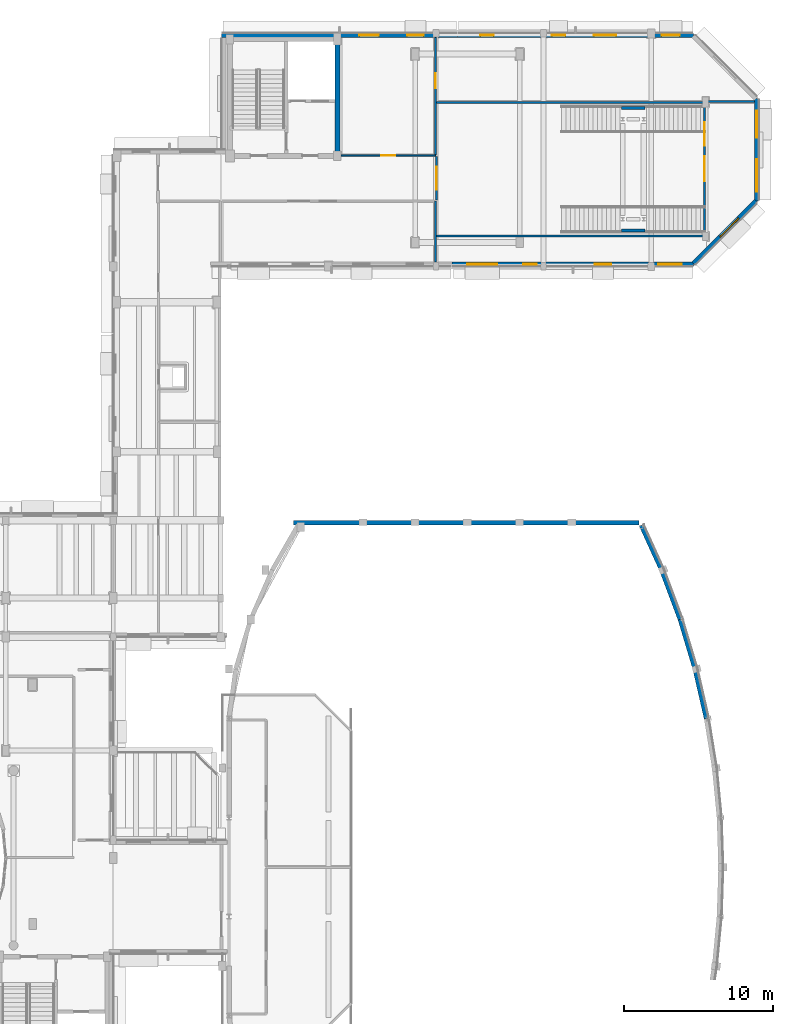
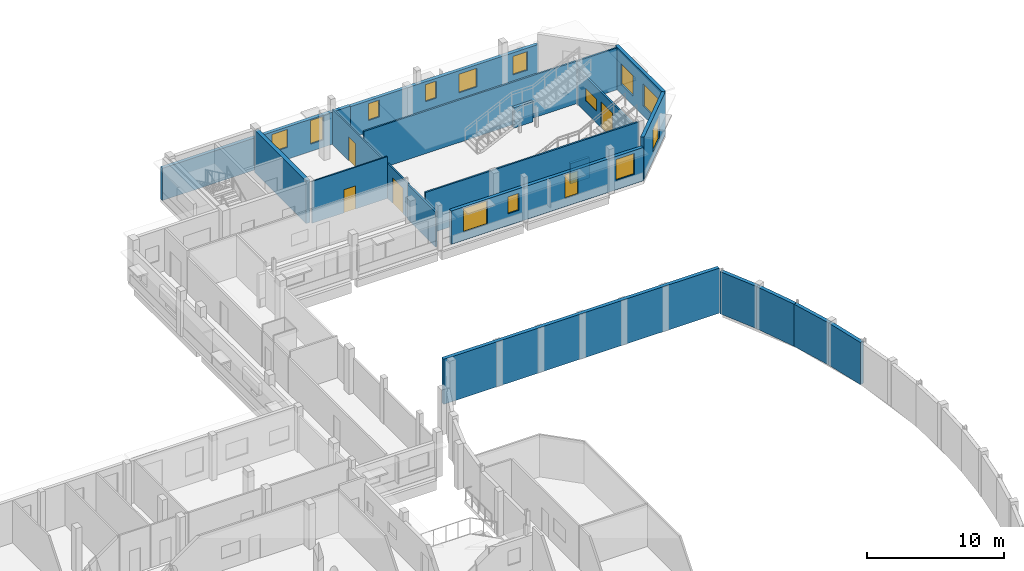
# One storey, part 75 of 92: 21 walls, 14 windows, 4 doors, 18 openings.
"""IFC4 building model written with IfcOpenShell, lengths in metres."""

from ifc_helpers import new_model, si_unit, direction, frame, frame_2d, origin, place, context, subcontext, project, spatial, rectangle, extrude, material, layer, layer_set, type_object, element, fill, save


model = new_model("IFC4")

# Units and contexts
model_context = context("Model", 3, precision=1e-05, world=origin(), true_north=direction((0.0, 1.0)))
body_context = subcontext(model_context, "Body", "Model", "MODEL_VIEW")
ifc_project = project(units=[si_unit("LENGTHUNIT", "METRE"), si_unit("AREAUNIT", "SQUARE_METRE"), si_unit("VOLUMEUNIT", "CUBIC_METRE"), si_unit("PLANEANGLEUNIT", "RADIAN"), si_unit("MASSUNIT", "GRAM", prefix="KILO")], contexts=[model_context])

# Site, building, storey
site_placement = place(None, origin())
site = spatial("IfcSite", under=ifc_project, at=site_placement, CompositionType="ELEMENT")
building_placement = place(site_placement, origin())
building = spatial("IfcBuilding", under=site, at=building_placement, Name="Kelanivale Promenade Academy", CompositionType="ELEMENT")
storey_placement = place(building_placement, frame((0.0, 0.0, 8.199951171875)))
storey = spatial("IfcBuildingStorey", under=building, at=storey_placement, Name="L02", CompositionType="ELEMENT", Elevation=8.199951171875)

# Walls
ifc_material_1 = material(Name="Concrete C40/50", Category="concrete")
ifc_layer_1 = layer(ifc_material_1, 0.330078125)
ifc_layer_set_1 = layer_set([ifc_layer_1], Name="Concrete C40/50")
wall_type_1 = type_object("IfcWallType", Name="CW-S1 Wall 330mm", PredefinedType="SHEAR", material=ifc_layer_set_1)
wall_1_placement = place(storey_placement, frame((130.60009765625, 103.965087890625, 0.0), z_axis=(0.0, 0.0, 1.0), x_axis=(0.0, 1.0, 0.0)))
element("IfcWall", 1, at=wall_1_placement, inside=storey, type_object=wall_type_1, Name="CORE-5 RC shear wall E L02", PredefinedType="SHEAR", context=body_context, shape_type="SweptSolid", body=[
    extrude(rectangle(XDim=7.469970703125, YDim=0.330078125, at=frame_2d((3.73486328125, 0.0))), origin(), (0.0, 0.0, 1.0), 3.780029296875),
])
ifc_layer_2 = layer(ifc_material_1, 0.22509765625)
ifc_layer_set_2 = layer_set([ifc_layer_2], Name="Concrete C40/50")
wall_type_2 = type_object("IfcWallType", Name="CW-S2 Wall 225mm", PredefinedType="SHEAR", material=ifc_layer_set_2)
for number, where, z_axis, x_axis, name in (
    (2, (149.60009765625, 98.800048828125, 0.0), (0.0, 0.0, 1.0), (1.0, 0.0, 0.0), "Library stair ST-07 structural support wall L02"),
    (3, (149.60009765625, 107.0, 0.0), (0.0, 0.0, 1.0), (1.0, 0.0, 0.0), "Library stair ST-08 structural support wall L02"),
):
    element("IfcWall", number, at=place(storey_placement, frame(where, z_axis=z_axis, x_axis=x_axis)), inside=storey, type_object=wall_type_2, Name=name, PredefinedType="SHEAR", context=body_context, shape_type="SweptSolid", body=[
        extrude(rectangle(XDim=1.599853515625, YDim=0.22509765625, at=frame_2d((0.7998046875, 0.0))), origin(), (0.0, 0.0, 1.0), 1.81005859375),
    ])
ifc_material_2 = material(Name="Insulated terracotta-clad masonry wall 300 mm", Category="masonry")
ifc_layer_3 = layer(ifc_material_2, 0.300048828125)
ifc_layer_set_3 = layer_set([ifc_layer_3], Name="Insulated terracotta-clad masonry wall 300 mm")
wall_type_3 = type_object("IfcWallType", Name="EW-01 Wall 300mm", PredefinedType="SOLIDWALL", material=ifc_layer_set_3)
wall_2_placement = place(storey_placement, frame((155.291015625, 66.14306640625, 0.0), z_axis=(0.0, 0.0, 1.0), x_axis=(-0.223259599234, 0.974759022195, 0.0)))
element("IfcWall", 4, at=wall_2_placement, inside=storey, type_object=wall_type_3, Name="Assembly Hall Arc Pavilion curved terracotta wall L02", PredefinedType="SOLIDWALL", context=body_context, shape_type="SweptSolid", body=[
    extrude(rectangle(XDim=3.399658203125, YDim=0.300048828125, at=frame_2d((1.69970703125, 0.0))), origin(), (0.0, 0.0, 1.0), 3.7451171875),
])
wall_3_placement = place(storey_placement, frame((154.531982421875, 69.45703125, 0.0), z_axis=(0.0, 0.0, 1.0), x_axis=(-0.287011200065, 0.957927226379, 0.0)))
element("IfcWall", 5, at=wall_3_placement, inside=storey, type_object=wall_type_3, Name="Assembly Hall Arc Pavilion curved terracotta wall L02", PredefinedType="SOLIDWALL", context=body_context, shape_type="SweptSolid", body=[
    extrude(rectangle(XDim=3.45947265625, YDim=0.300048828125, at=frame_2d((1.729736328125, 0.0))), origin(), (0.0, 0.0, 1.0), 3.7451171875),
])
wall_4_placement = place(storey_placement, frame((153.5390625, 72.77099609375, 0.0), z_axis=(0.0, 0.0, 1.0), x_axis=(-0.350836219137, 0.936436835746, 0.0)))
element("IfcWall", 6, at=wall_4_placement, inside=storey, type_object=wall_type_3, Name="Assembly Hall Arc Pavilion curved terracotta wall L02", PredefinedType="SOLIDWALL", context=body_context, shape_type="SweptSolid", body=[
    extrude(rectangle(XDim=3.5400390625, YDim=0.300048828125, at=frame_2d((1.77001953125, 0.0))), origin(), (0.0, 0.0, 1.0), 3.7451171875),
])
wall_5_placement = place(storey_placement, frame((152.297119140625, 76.0859375, 0.0), z_axis=(0.0, 0.0, 1.0), x_axis=(-0.414354372568, 0.910115626684, 0.0)))
element("IfcWall", 7, at=wall_5_placement, inside=storey, type_object=wall_type_3, Name="Assembly Hall Arc Pavilion curved terracotta wall L02", PredefinedType="SOLIDWALL", context=body_context, shape_type="SweptSolid", body=[
    extrude(rectangle(XDim=3.302001953125, YDim=0.300048828125, at=frame_2d((1.65087890625, 0.0))), origin(), (0.0, 0.0, 1.0), 3.7451171875),
])
wall_6_placement = place(storey_placement, frame((150.7880859375, 79.25, 0.0), z_axis=(0.0, 0.0, 1.0), x_axis=(-1.0, 0.0, 0.0)))
element("IfcWall", 8, at=wall_6_placement, inside=storey, type_object=wall_type_3, Name="Assembly Hall Arc Pavilion gable wall L02", PredefinedType="SOLIDWALL", context=body_context, shape_type="SweptSolid", body=[
    extrude(rectangle(XDim=23.13818359375, YDim=0.300048828125, at=frame_2d((11.569091796875, 0.0))), origin(), (0.0, 0.0, 1.0), 4.0),
])

# Wall, openings, windows
ifc_material_3 = material(Name="Insulated ivory stucco masonry wall 280 mm", Category="masonry")
ifc_layer_4 = layer(ifc_material_3, 0.280029296875)
ifc_layer_set_4 = layer_set([ifc_layer_4], Name="Insulated ivory stucco masonry wall 280 mm")
wall_type_4 = type_object("IfcWallType", Name="EW-02 Wall 280mm", PredefinedType="SOLIDWALL", material=ifc_layer_set_4)
wall_7_placement = place(storey_placement, frame((138.27587890625, 96.5400390625, 0.0), z_axis=(0.0, 0.0, 1.0), x_axis=(1.0, 0.0, 0.0)))
wall_7 = element("IfcWall", 9, at=wall_7_placement, inside=storey, type_object=wall_type_4, Name="L02 exterior facade wall EW-L02-ORT-0423", PredefinedType="SOLIDWALL", context=body_context, shape_type="SweptSolid", body=[
    extrude(rectangle(XDim=16.155029296875, YDim=0.280029296875, at=frame_2d((8.07763671875, 0.0))), origin(), (0.0, 0.0, 1.0), 2.965087890625),
])
opening_1_placement = place(wall_7_placement, frame((1.01904296875, 0.0, 0.72509765625)))
opening_1 = element("IfcOpeningElement", 10, at=opening_1_placement, cuts=wall_7, Name="Opening WT-14", PredefinedType="OPENING", context=body_context, shape_type="SweptSolid", body=[
    extrude(rectangle(XDim=2.0, YDim=2.10009765625, at=frame_2d((1.0, 1.050048828125))), frame((0.0, 0.14990234375, 0.0), z_axis=(0.0, -1.0, 0.0), x_axis=(1.0, 0.0, 0.0)), (0.0, 0.0, 1.0), 0.300048828125),
])
opening_2_placement = place(wall_7_placement, frame((4.758056640625, 0.0, 1.050048828125)))
opening_2 = element("IfcOpeningElement", 11, at=opening_2_placement, cuts=wall_7, Name="Opening WT-06", PredefinedType="OPENING", context=body_context, shape_type="SweptSolid", body=[
    extrude(rectangle(XDim=0.89990234375, YDim=1.5, at=frame_2d((0.449951171875, 0.75))), frame((0.0, 0.14990234375, 0.0), z_axis=(0.0, -1.0, 0.0), x_axis=(1.0, 0.0, 0.0)), (0.0, 0.0, 1.0), 0.300048828125),
])
opening_3_placement = place(wall_7_placement, frame((9.547119140625, 0.0, 0.72509765625)))
opening_3 = element("IfcOpeningElement", 12, at=opening_3_placement, cuts=wall_7, Name="Opening WT-17", PredefinedType="OPENING", context=body_context, shape_type="SweptSolid", body=[
    extrude(rectangle(XDim=1.10009765625, YDim=2.10009765625, at=frame_2d((0.550048828125, 1.050048828125))), frame((0.0, 0.14990234375, 0.0), z_axis=(0.0, -1.0, 0.0), x_axis=(1.0, 0.0, 0.0)), (0.0, 0.0, 1.0), 0.300048828125),
])
opening_4_placement = place(wall_7_placement, frame((13.81103515625, 0.0, 0.85009765625)))
opening_4 = element("IfcOpeningElement", 13, at=opening_4_placement, cuts=wall_7, Name="Opening WT-31", PredefinedType="OPENING", context=body_context, shape_type="SweptSolid", body=[
    extrude(rectangle(XDim=1.550048828125, YDim=1.85009765625, at=frame_2d((0.77490234375, 0.925048828125))), frame((0.0, 0.14990234375, 0.0), z_axis=(0.0, -1.0, 0.0), x_axis=(1.0, 0.0, 0.0)), (0.0, 0.0, 1.0), 0.300048828125),
])
ifc_material_4 = material(Name="Bronze anodised aluminium frame with low-E laminated glass", Category="aluminium")
window_type_1 = type_object("IfcWindowType", Name="WT-06 Window 900x1500", PartitioningType="SINGLE_PANEL", PredefinedType="WINDOW", material=ifc_material_4)
window_1_placement = place(opening_2_placement, origin())
window_1 = element("IfcWindow", 14, at=window_1_placement, inside=storey, type_object=window_type_1, Name="Window WT-06", OverallHeight=1.5, OverallWidth=0.89990234375, PartitioningType="SINGLE_PANEL", PredefinedType="WINDOW", context=body_context, shape_type="SweptSolid", body=[
    extrude(rectangle(XDim=0.89990234375, YDim=1.5, at=frame_2d((0.449951171875, 0.75))), frame((0.0, 0.030029296875, 0.0), z_axis=(0.0, -1.0, 0.0), x_axis=(1.0, 0.0, 0.0)), (0.0, 0.0, 1.0), 0.06005859375),
])
fill(opening_2, window_1)
window_type_2 = type_object("IfcWindowType", Name="WT-14 Window 2000x2100", PartitioningType="SINGLE_PANEL", PredefinedType="WINDOW", material=ifc_material_4)
window_2_placement = place(opening_1_placement, origin())
window_2 = element("IfcWindow", 15, at=window_2_placement, inside=storey, type_object=window_type_2, Name="Window WT-14", OverallHeight=2.10009765625, OverallWidth=2.0, PartitioningType="SINGLE_PANEL", PredefinedType="WINDOW", context=body_context, shape_type="SweptSolid", body=[
    extrude(rectangle(XDim=2.0, YDim=2.10009765625, at=frame_2d((1.0, 1.050048828125))), frame((0.0, 0.030029296875, 0.0), z_axis=(0.0, -1.0, 0.0), x_axis=(1.0, 0.0, 0.0)), (0.0, 0.0, 1.0), 0.06005859375),
])
fill(opening_1, window_2)
window_type_3 = type_object("IfcWindowType", Name="WT-17 Window 1100x2100", PartitioningType="SINGLE_PANEL", PredefinedType="WINDOW", material=ifc_material_4)
window_3_placement = place(opening_3_placement, origin())
window_3 = element("IfcWindow", 16, at=window_3_placement, inside=storey, type_object=window_type_3, Name="Window WT-17", OverallHeight=2.10009765625, OverallWidth=1.10009765625, PartitioningType="SINGLE_PANEL", PredefinedType="WINDOW", context=body_context, shape_type="SweptSolid", body=[
    extrude(rectangle(XDim=1.10009765625, YDim=2.10009765625, at=frame_2d((0.550048828125, 1.050048828125))), frame((0.0, 0.030029296875, 0.0), z_axis=(0.0, -1.0, 0.0), x_axis=(1.0, 0.0, 0.0)), (0.0, 0.0, 1.0), 0.06005859375),
])
fill(opening_3, window_3)
window_type_4 = type_object("IfcWindowType", Name="WT-31 Window 1550x1850", PartitioningType="SINGLE_PANEL", PredefinedType="WINDOW", material=ifc_material_4)
window_4_placement = place(opening_4_placement, origin())
window_4 = element("IfcWindow", 17, at=window_4_placement, inside=storey, type_object=window_type_4, Name="Window WT-31", OverallHeight=1.85009765625, OverallWidth=1.550048828125, PartitioningType="SINGLE_PANEL", PredefinedType="WINDOW", context=body_context, shape_type="SweptSolid", body=[
    extrude(rectangle(XDim=1.550048828125, YDim=1.85009765625, at=frame_2d((0.77490234375, 0.925048828125))), frame((0.0, 0.030029296875, 0.0), z_axis=(0.0, -1.0, 0.0), x_axis=(1.0, 0.0, 0.0)), (0.0, 0.0, 1.0), 0.06005859375),
])
fill(opening_4, window_4)

# Wall, opening, window
wall_8_placement = place(storey_placement, frame((154.4189453125, 96.583984375, 0.0), z_axis=(0.0, 0.0, 1.0), x_axis=(0.707106781187, 0.707106781187, 0.0)))
wall_8 = element("IfcWall", 18, at=wall_8_placement, inside=storey, type_object=wall_type_4, Name="L02 exterior facade wall EW-L02-ORT-0424", PredefinedType="SOLIDWALL", context=body_context, shape_type="SweptSolid", body=[
    extrude(rectangle(XDim=5.935546875, YDim=0.280029296875, at=frame_2d((2.9677734375, 0.0))), origin(), (0.0, 0.0, 1.0), 3.780029296875),
])
opening_5_placement = place(wall_8_placement, frame((2.54296875, 0.0, 0.75)))
opening_5 = element("IfcOpeningElement", 19, at=opening_5_placement, cuts=wall_8, Name="Opening WT-32", PredefinedType="OPENING", context=body_context, shape_type="SweptSolid", body=[
    extrude(rectangle(XDim=1.75, YDim=2.050048828125, at=frame_2d((0.875, 1.02490234375))), frame((0.0, 0.14990234375, 0.0), z_axis=(0.0, -1.0, 0.0), x_axis=(1.0, 0.0, 0.0)), (0.0, 0.0, 1.0), 0.300048828125),
])
window_type_5 = type_object("IfcWindowType", Name="WT-32 Window 1750x2050", PartitioningType="SINGLE_PANEL", PredefinedType="WINDOW", material=ifc_material_4)
window_5_placement = place(opening_5_placement, origin())
window_5 = element("IfcWindow", 20, at=window_5_placement, inside=storey, type_object=window_type_5, Name="Window WT-32", OverallHeight=2.050048828125, OverallWidth=1.75, PartitioningType="SINGLE_PANEL", PredefinedType="WINDOW", context=body_context, shape_type="SweptSolid", body=[
    extrude(rectangle(XDim=1.75, YDim=2.050048828125, at=frame_2d((0.875, 1.02490234375))), frame((0.0, 0.030029296875, 0.0), z_axis=(0.0, -1.0, 0.0), x_axis=(1.0, 0.0, 0.0)), (0.0, 0.0, 1.0), 0.06005859375),
])
fill(opening_5, window_5)

# Wall, openings, windows
wall_9_placement = place(storey_placement, frame((158.659912109375, 100.76904296875, 0.0), z_axis=(0.0, 0.0, 1.0), x_axis=(0.0, 1.0, 0.0)))
wall_9 = element("IfcWall", 21, at=wall_9_placement, inside=storey, type_object=wall_type_4, Name="L02 exterior facade wall EW-L02-ORT-0425", PredefinedType="SOLIDWALL", context=body_context, shape_type="SweptSolid", body=[
    extrude(rectangle(XDim=6.862060546875, YDim=0.280029296875, at=frame_2d((3.43115234375, 0.0))), origin(), (0.0, 0.0, 1.0), 3.780029296875),
])
opening_6_placement = place(wall_9_placement, frame((0.639892578125, 0.0, 0.85009765625)))
opening_6 = element("IfcOpeningElement", 22, at=opening_6_placement, cuts=wall_9, Name="Opening WT-33", PredefinedType="OPENING", context=body_context, shape_type="SweptSolid", body=[
    extrude(rectangle(XDim=2.14990234375, YDim=1.949951171875, at=frame_2d((1.074951171875, 0.97509765625))), frame((0.0, 0.14990234375, 0.0), z_axis=(0.0, -1.0, 0.0), x_axis=(1.0, 0.0, 0.0)), (0.0, 0.0, 1.0), 0.300048828125),
])
opening_7_placement = place(wall_9_placement, frame((4.24609375, 0.0, 0.85009765625)))
opening_7 = element("IfcOpeningElement", 23, at=opening_7_placement, cuts=wall_9, Name="Opening WT-01", PredefinedType="OPENING", context=body_context, shape_type="SweptSolid", body=[
    extrude(rectangle(XDim=1.800048828125, YDim=1.800048828125, at=frame_2d((0.89990234375, 0.89990234375))), frame((0.0, 0.14990234375, 0.0), z_axis=(0.0, -1.0, 0.0), x_axis=(1.0, 0.0, 0.0)), (0.0, 0.0, 1.0), 0.300048828125),
])
window_type_6 = type_object("IfcWindowType", Name="WT-01 Window 1800x1800", PartitioningType="SINGLE_PANEL", PredefinedType="WINDOW", material=ifc_material_4)
window_6_placement = place(opening_7_placement, origin())
window_6 = element("IfcWindow", 24, at=window_6_placement, inside=storey, type_object=window_type_6, Name="Window WT-01", OverallHeight=1.800048828125, OverallWidth=1.800048828125, PartitioningType="SINGLE_PANEL", PredefinedType="WINDOW", context=body_context, shape_type="SweptSolid", body=[
    extrude(rectangle(XDim=1.800048828125, YDim=1.800048828125, at=frame_2d((0.89990234375, 0.89990234375))), frame((0.0, 0.030029296875, 0.0), z_axis=(0.0, -1.0, 0.0), x_axis=(1.0, 0.0, 0.0)), (0.0, 0.0, 1.0), 0.06005859375),
])
fill(opening_7, window_6)
window_type_7 = type_object("IfcWindowType", Name="WT-33 Window 2150x1950", PartitioningType="SINGLE_PANEL", PredefinedType="WINDOW", material=ifc_material_4)
window_7_placement = place(opening_6_placement, origin())
window_7 = element("IfcWindow", 25, at=window_7_placement, inside=storey, type_object=window_type_7, Name="Window WT-33", OverallHeight=1.949951171875, OverallWidth=2.14990234375, PartitioningType="SINGLE_PANEL", PredefinedType="WINDOW", context=body_context, shape_type="SweptSolid", body=[
    extrude(rectangle(XDim=2.14990234375, YDim=1.949951171875, at=frame_2d((1.074951171875, 0.97509765625))), frame((0.0, 0.030029296875, 0.0), z_axis=(0.0, -1.0, 0.0), x_axis=(1.0, 0.0, 0.0)), (0.0, 0.0, 1.0), 0.06005859375),
])
fill(opening_6, window_7)

wall_10_placement = place(storey_placement, frame((154.430908203125, 111.860107421875, 0.0), z_axis=(0.0, 0.0, 1.0), x_axis=(-1.0, 0.0, 0.0)))
wall_10 = element("IfcWall", 26, at=wall_10_placement, inside=storey, type_object=wall_type_4, Name="L02 exterior facade wall EW-L02-ORT-0427", PredefinedType="SOLIDWALL", context=body_context, shape_type="SweptSolid", body=[
    extrude(rectangle(XDim=15.789794921875, YDim=0.280029296875, at=frame_2d((7.89501953125, 0.0))), origin(), (0.0, 0.0, 1.0), 2.81494140625),
])
opening_8_placement = place(wall_10_placement, frame((0.924072265625, 0.0, 0.85009765625)))
opening_8 = element("IfcOpeningElement", 27, at=opening_8_placement, cuts=wall_10, Name="Opening WT-05", PredefinedType="OPENING", context=body_context, shape_type="SweptSolid", body=[
    extrude(rectangle(XDim=1.199951171875, YDim=1.64990234375, at=frame_2d((0.60009765625, 0.824951171875))), frame((0.0, 0.14990234375, 0.0), z_axis=(0.0, -1.0, 0.0), x_axis=(1.0, 0.0, 0.0)), (0.0, 0.0, 1.0), 0.300048828125),
])
opening_9_placement = place(wall_10_placement, frame((5.1708984375, 0.0, 0.85009765625)))
opening_9 = element("IfcOpeningElement", 28, at=opening_9_placement, cuts=wall_10, Name="Opening WT-04", PredefinedType="OPENING", context=body_context, shape_type="SweptSolid", body=[
    extrude(rectangle(XDim=1.5, YDim=1.64990234375, at=frame_2d((0.75, 0.824951171875))), frame((0.0, 0.14990234375, 0.0), z_axis=(0.0, -1.0, 0.0), x_axis=(1.0, 0.0, 0.0)), (0.0, 0.0, 1.0), 0.300048828125),
])
opening_10_placement = place(wall_10_placement, frame((8.569091796875, 0.0, 1.050048828125)))
opening_10 = element("IfcOpeningElement", 29, at=opening_10_placement, cuts=wall_10, Name="Opening WT-06", PredefinedType="OPENING", context=body_context, shape_type="SweptSolid", body=[
    extrude(rectangle(XDim=0.89990234375, YDim=1.5, at=frame_2d((0.449951171875, 0.75))), frame((0.0, 0.14990234375, 0.0), z_axis=(0.0, -1.0, 0.0), x_axis=(1.0, 0.0, 0.0)), (0.0, 0.0, 1.0), 0.300048828125),
])
opening_11_placement = place(wall_10_placement, frame((13.365966796875, 0.0, 1.050048828125)))
opening_11 = element("IfcOpeningElement", 30, at=opening_11_placement, cuts=wall_10, Name="Opening WT-06", PredefinedType="OPENING", context=body_context, shape_type="SweptSolid", body=[
    extrude(rectangle(XDim=0.89990234375, YDim=1.5, at=frame_2d((0.449951171875, 0.75))), frame((0.0, 0.14990234375, 0.0), z_axis=(0.0, -1.0, 0.0), x_axis=(1.0, 0.0, 0.0)), (0.0, 0.0, 1.0), 0.300048828125),
])
window_type_8 = type_object("IfcWindowType", Name="WT-04 Window 1500x1650", PartitioningType="SINGLE_PANEL", PredefinedType="WINDOW", material=ifc_material_4)
window_8_placement = place(opening_9_placement, origin())
window_8 = element("IfcWindow", 31, at=window_8_placement, inside=storey, type_object=window_type_8, Name="Window WT-04", OverallHeight=1.64990234375, OverallWidth=1.5, PartitioningType="SINGLE_PANEL", PredefinedType="WINDOW", context=body_context, shape_type="SweptSolid", body=[
    extrude(rectangle(XDim=1.5, YDim=1.64990234375, at=frame_2d((0.75, 0.824951171875))), frame((0.0, 0.030029296875, 0.0), z_axis=(0.0, -1.0, 0.0), x_axis=(1.0, 0.0, 0.0)), (0.0, 0.0, 1.0), 0.06005859375),
])
fill(opening_9, window_8)
window_type_9 = type_object("IfcWindowType", Name="WT-05 Window 1200x1650", PartitioningType="SINGLE_PANEL", PredefinedType="WINDOW", material=ifc_material_4)
window_9_placement = place(opening_8_placement, origin())
window_9 = element("IfcWindow", 32, at=window_9_placement, inside=storey, type_object=window_type_9, Name="Window WT-05", OverallHeight=1.64990234375, OverallWidth=1.199951171875, PartitioningType="SINGLE_PANEL", PredefinedType="WINDOW", context=body_context, shape_type="SweptSolid", body=[
    extrude(rectangle(XDim=1.199951171875, YDim=1.64990234375, at=frame_2d((0.60009765625, 0.824951171875))), frame((0.0, 0.030029296875, 0.0), z_axis=(0.0, -1.0, 0.0), x_axis=(1.0, 0.0, 0.0)), (0.0, 0.0, 1.0), 0.06005859375),
])
fill(opening_8, window_9)
window_10_placement = place(opening_10_placement, origin())
window_10 = element("IfcWindow", 33, at=window_10_placement, inside=storey, type_object=window_type_1, Name="Window WT-06", OverallHeight=1.5, OverallWidth=0.89990234375, PartitioningType="SINGLE_PANEL", PredefinedType="WINDOW", context=body_context, shape_type="SweptSolid", body=[
    extrude(rectangle(XDim=0.89990234375, YDim=1.5, at=frame_2d((0.449951171875, 0.75))), frame((0.0, 0.030029296875, 0.0), z_axis=(0.0, -1.0, 0.0), x_axis=(1.0, 0.0, 0.0)), (0.0, 0.0, 1.0), 0.06005859375),
])
fill(opening_10, window_10)
window_11_placement = place(opening_11_placement, origin())
window_11 = element("IfcWindow", 34, at=window_11_placement, inside=storey, type_object=window_type_1, Name="Window WT-06", OverallHeight=1.5, OverallWidth=0.89990234375, PartitioningType="SINGLE_PANEL", PredefinedType="WINDOW", context=body_context, shape_type="SweptSolid", body=[
    extrude(rectangle(XDim=0.89990234375, YDim=1.5, at=frame_2d((0.449951171875, 0.75))), frame((0.0, 0.030029296875, 0.0), z_axis=(0.0, -1.0, 0.0), x_axis=(1.0, 0.0, 0.0)), (0.0, 0.0, 1.0), 0.06005859375),
])
fill(opening_11, window_11)

wall_11_placement = place(storey_placement, frame((138.64111328125, 111.860107421875, 0.0), z_axis=(0.0, 0.0, 1.0), x_axis=(-1.0, 0.0, 0.0)))
wall_11 = element("IfcWall", 35, at=wall_11_placement, inside=storey, type_object=wall_type_4, Name="L02 exterior facade wall EW-L02-ORT-0428", PredefinedType="SOLIDWALL", context=body_context, shape_type="SweptSolid", body=[
    extrude(rectangle(XDim=15.791015625, YDim=0.280029296875, at=frame_2d((7.8955078125, 0.0))), origin(), (0.0, 0.0, 1.0), 2.864990234375),
])
opening_12_placement = place(wall_11_placement, frame((2.27392578125, 0.0, 0.64990234375)))
opening_12 = element("IfcOpeningElement", 36, at=opening_12_placement, cuts=wall_11, Name="Opening WT-17", PredefinedType="OPENING", context=body_context, shape_type="SweptSolid", body=[
    extrude(rectangle(XDim=1.10009765625, YDim=2.10009765625, at=frame_2d((0.550048828125, 1.050048828125))), frame((0.0, 0.14990234375, 0.0), z_axis=(0.0, -1.0, 0.0), x_axis=(1.0, 0.0, 0.0)), (0.0, 0.0, 1.0), 0.300048828125),
])
opening_13_placement = place(wall_11_placement, frame((5.27197265625, 0.0, 1.050048828125)))
opening_13 = element("IfcOpeningElement", 37, at=opening_13_placement, cuts=wall_11, Name="Opening WT-23", PredefinedType="OPENING", context=body_context, shape_type="SweptSolid", body=[
    extrude(rectangle(XDim=1.300048828125, YDim=1.60009765625, at=frame_2d((0.64990234375, 0.800048828125))), frame((0.0, 0.14990234375, 0.0), z_axis=(0.0, -1.0, 0.0), x_axis=(1.0, 0.0, 0.0)), (0.0, 0.0, 1.0), 0.300048828125),
])
window_12_placement = place(opening_12_placement, origin())
window_12 = element("IfcWindow", 38, at=window_12_placement, inside=storey, type_object=window_type_3, Name="Window WT-17", OverallHeight=2.10009765625, OverallWidth=1.10009765625, PartitioningType="SINGLE_PANEL", PredefinedType="WINDOW", context=body_context, shape_type="SweptSolid", body=[
    extrude(rectangle(XDim=1.10009765625, YDim=2.10009765625, at=frame_2d((0.550048828125, 1.050048828125))), frame((0.0, 0.030029296875, 0.0), z_axis=(0.0, -1.0, 0.0), x_axis=(1.0, 0.0, 0.0)), (0.0, 0.0, 1.0), 0.06005859375),
])
fill(opening_12, window_12)
window_type_10 = type_object("IfcWindowType", Name="WT-23 Window 1300x1600", PartitioningType="SINGLE_PANEL", PredefinedType="WINDOW", material=ifc_material_4)
window_13_placement = place(opening_13_placement, origin())
window_13 = element("IfcWindow", 39, at=window_13_placement, inside=storey, type_object=window_type_10, Name="Window WT-23", OverallHeight=1.60009765625, OverallWidth=1.300048828125, PartitioningType="SINGLE_PANEL", PredefinedType="WINDOW", context=body_context, shape_type="SweptSolid", body=[
    extrude(rectangle(XDim=1.300048828125, YDim=1.60009765625, at=frame_2d((0.64990234375, 0.800048828125))), frame((0.0, 0.030029296875, 0.0), z_axis=(0.0, -1.0, 0.0), x_axis=(1.0, 0.0, 0.0)), (0.0, 0.0, 1.0), 0.06005859375),
])
fill(opening_13, window_13)

# Walls
ifc_material_5 = material(Name="Acoustic double-stud gypsum board partition 140 mm", Category="masonry")
ifc_layer_5 = layer(ifc_material_5, 0.139892578125)
ifc_layer_set_5 = layer_set([ifc_layer_5], Name="Acoustic double-stud gypsum board partition 140 mm")
wall_type_5 = type_object("IfcWallType", Name="IW-04 Wall 140mm", PredefinedType="PARTITIONING", material=ifc_layer_set_5)
wall_12_placement = place(storey_placement, frame((137.169921875, 96.677978515625, 0.0), z_axis=(0.0, 0.0, 1.0), x_axis=(0.0, 1.0, 0.0)))
element("IfcWall", 40, at=wall_12_placement, inside=storey, type_object=wall_type_5, Name="L02 partition Library Book Stacks", PredefinedType="PARTITIONING", context=body_context, shape_type="SweptSolid", body=[
    extrude(rectangle(XDim=4.092041015625, YDim=0.139892578125, at=frame_2d((2.0458984375, 0.0))), origin(), (0.0, 0.0, 1.0), 3.114990234375),
])
wall_13_placement = place(storey_placement, frame((137.238037109375, 98.429931640625, 0.0), z_axis=(0.0, 0.0, 1.0), x_axis=(1.0, 0.0, 0.0)))
element("IfcWall", 41, at=wall_13_placement, inside=storey, type_object=wall_type_5, Name="L02 partition Library Reading Room", PredefinedType="PARTITIONING", context=body_context, shape_type="SweptSolid", body=[
    extrude(rectangle(XDim=17.931884765625, YDim=0.139892578125, at=frame_2d((8.9658203125, 0.0))), origin(), (0.0, 0.0, 1.0), 3.780029296875),
])

# Wall, openings, door, window
wall_14_placement = place(storey_placement, frame((155.169921875, 98.498046875, 0.0), z_axis=(0.0, 0.0, 1.0), x_axis=(0.0, 1.0, 0.0)))
wall_14 = element("IfcWall", 42, at=wall_14_placement, inside=storey, type_object=wall_type_5, Name="L02 partition Library Reading Room", PredefinedType="PARTITIONING", context=body_context, shape_type="SweptSolid", body=[
    extrude(rectangle(XDim=8.8720703125, YDim=0.139892578125, at=frame_2d((4.43603515625, 0.0))), origin(), (0.0, 0.0, 1.0), 3.1650390625),
])
opening_14_placement = place(wall_14_placement, frame((3.611083984375, 0.0, 0.0)))
opening_14 = element("IfcOpeningElement", 43, at=opening_14_placement, cuts=wall_14, Name="Opening ID-L02-143", PredefinedType="OPENING", context=body_context, shape_type="SweptSolid", body=[
    extrude(rectangle(XDim=1.64990234375, YDim=2.320068359375, at=frame_2d((0.824951171875, 1.16015625))), frame((0.0, 0.080078125, 0.0), z_axis=(0.0, -1.0, 0.0), x_axis=(1.0, 0.0, 0.0)), (0.0, 0.0, 1.0), 0.159912109375),
])
opening_15_placement = place(wall_14_placement, frame((5.9609375, 0.0, 1.050048828125)))
opening_15 = element("IfcOpeningElement", 44, at=opening_15_placement, cuts=wall_14, Name="Opening WT-I01", PredefinedType="OPENING", context=body_context, shape_type="SweptSolid", body=[
    extrude(rectangle(XDim=1.60009765625, YDim=1.10009765625, at=frame_2d((0.800048828125, 0.550048828125))), frame((0.0, 0.080078125, 0.0), z_axis=(0.0, -1.0, 0.0), x_axis=(1.0, 0.0, 0.0)), (0.0, 0.0, 1.0), 0.159912109375),
])
ifc_material_6 = material(Name="Solid-core tropical teak timber", Category="wood")
door_type_1 = type_object("IfcDoorType", Name="DT-I21 Door 1650x2320", OperationType="NOTDEFINED", PredefinedType="DOOR", material=ifc_material_6)
door_1_placement = place(opening_14_placement, frame((1.64990234375, 0.0, 0.0), z_axis=(0.0, 0.0, 1.0), x_axis=(-1.0, 0.0, 0.0)))
door_1 = element("IfcDoor", 45, at=door_1_placement, inside=storey, type_object=door_type_1, Name="Library East Periodicals Room door ID-L02-143", OperationType="DOUBLE_DOOR_SINGLE_SWING", OverallHeight=2.320068359375, OverallWidth=1.64990234375, PredefinedType="DOOR", context=body_context, shape_type="SweptSolid", body=[
    extrude(rectangle(XDim=1.64990234375, YDim=2.320068359375, at=frame_2d((0.824951171875, 1.16015625))), frame((0.0, 0.02490234375, 0.0), z_axis=(0.0, -1.0, 0.0), x_axis=(1.0, 0.0, 0.0)), (0.0, 0.0, 1.0), 0.050048828125),
])
fill(opening_14, door_1)
window_type_11 = type_object("IfcWindowType", Name="WT-I01 Window 1600x1100", PartitioningType="SINGLE_PANEL", PredefinedType="WINDOW", material=ifc_material_4)
window_14_placement = place(opening_15_placement, origin())
window_14 = element("IfcWindow", 46, at=window_14_placement, inside=storey, type_object=window_type_11, Name="Interior observation window WT-I01", OverallHeight=1.10009765625, OverallWidth=1.60009765625, PartitioningType="SINGLE_PANEL", PredefinedType="WINDOW", context=body_context, shape_type="SweptSolid", body=[
    extrude(rectangle(XDim=1.60009765625, YDim=1.10009765625, at=frame_2d((0.800048828125, 0.550048828125))), frame((0.0, 0.030029296875, 0.0), z_axis=(0.0, -1.0, 0.0), x_axis=(1.0, 0.0, 0.0)), (0.0, 0.0, 1.0), 0.06005859375),
])
fill(opening_15, window_14)

# Wall
wall_15_placement = place(storey_placement, frame((155.10205078125, 107.3701171875, 0.0), z_axis=(0.0, 0.0, 1.0), x_axis=(-1.0, 0.0, 0.0)))
element("IfcWall", 47, at=wall_15_placement, inside=storey, type_object=wall_type_5, Name="L02 partition Library Reading Room", PredefinedType="PARTITIONING", context=body_context, shape_type="SweptSolid", body=[
    extrude(rectangle(XDim=17.876953125, YDim=0.139892578125, at=frame_2d((8.9384765625, 0.0))), origin(), (0.0, 0.0, 1.0), 3.780029296875),
])

# Wall, opening, door
wall_16_placement = place(storey_placement, frame((137.22998046875, 103.77001953125, 0.0), z_axis=(0.0, 0.0, 1.0), x_axis=(0.0, -1.0, 0.0)))
wall_16 = element("IfcWall", 48, at=wall_16_placement, inside=storey, type_object=wall_type_5, Name="L02 partition Library Reading Room", PredefinedType="PARTITIONING", context=body_context, shape_type="SweptSolid", body=[
    extrude(rectangle(XDim=2.93994140625, YDim=0.139892578125, at=frame_2d((1.469970703125, 0.0))), origin(), (0.0, 0.0, 1.0), 3.114990234375),
])
opening_16_placement = place(wall_16_placement, frame((0.695068359375, 0.0, 0.0)))
opening_16 = element("IfcOpeningElement", 49, at=opening_16_placement, cuts=wall_16, Name="Opening ID-L02-141", PredefinedType="OPENING", context=body_context, shape_type="SweptSolid", body=[
    extrude(rectangle(XDim=1.550048828125, YDim=2.300048828125, at=frame_2d((0.77490234375, 1.14990234375))), frame((0.0, 0.080078125, 0.0), z_axis=(0.0, -1.0, 0.0), x_axis=(1.0, 0.0, 0.0)), (0.0, 0.0, 1.0), 0.159912109375),
])
door_type_2 = type_object("IfcDoorType", Name="DT-I12 Door 1550x2300", OperationType="NOTDEFINED", PredefinedType="DOOR", material=ifc_material_6)
door_2_placement = place(opening_16_placement, origin())
door_2 = element("IfcDoor", 50, at=door_2_placement, inside=storey, type_object=door_type_2, Name="Library Reading Room door ID-L02-141", OperationType="DOUBLE_DOOR_SINGLE_SWING", OverallHeight=2.300048828125, OverallWidth=1.550048828125, PredefinedType="DOOR", context=body_context, shape_type="SweptSolid", body=[
    extrude(rectangle(XDim=1.550048828125, YDim=2.300048828125, at=frame_2d((0.77490234375, 1.14990234375))), frame((0.0, 0.02490234375, 0.0), z_axis=(0.0, -1.0, 0.0), x_axis=(1.0, 0.0, 0.0)), (0.0, 0.0, 1.0), 0.050048828125),
])
fill(opening_16, door_2)

# Wall
wall_17_placement = place(storey_placement, frame((155.169921875, 107.429931640625, 0.0), z_axis=(0.0, 0.0, 1.0), x_axis=(1.0, 0.0, 0.0)))
element("IfcWall", 51, at=wall_17_placement, inside=storey, type_object=wall_type_5, Name="L02 partition Library North Study Alcove", PredefinedType="PARTITIONING", context=body_context, shape_type="SweptSolid", body=[
    extrude(rectangle(XDim=3.35205078125, YDim=0.139892578125, at=frame_2d((1.676025390625, 0.0))), origin(), (0.0, 0.0, 1.0), 3.715087890625),
])

# Wall, opening, door
ifc_material_7 = material(Name="Lightweight gypsum stud partition 115 mm", Category="masonry")
ifc_layer_6 = layer(ifc_material_7, 0.114990234375)
ifc_layer_set_6 = layer_set([ifc_layer_6], Name="Lightweight gypsum stud partition 115 mm")
wall_type_6 = type_object("IfcWallType", Name="IW-06 Wall 115mm", PredefinedType="PARTITIONING", material=ifc_layer_set_6)
wall_18_placement = place(storey_placement, frame((130.830078125, 103.830078125, 0.0), z_axis=(0.0, 0.0, 1.0), x_axis=(1.0, 0.0, 0.0)))
wall_18 = element("IfcWall", 52, at=wall_18_placement, inside=storey, type_object=wall_type_6, Name="L02 partition Librarian and Digital Media Office", PredefinedType="PARTITIONING", context=body_context, shape_type="SweptSolid", body=[
    extrude(rectangle(XDim=6.33984375, YDim=0.114990234375, at=frame_2d((3.169921875, 0.0))), origin(), (0.0, 0.0, 1.0), 3.715087890625),
])
opening_17_placement = place(wall_18_placement, frame((2.695068359375, 0.0, 0.0)))
opening_17 = element("IfcOpeningElement", 53, at=opening_17_placement, cuts=wall_18, Name="Opening ID-L02-140", PredefinedType="OPENING", context=body_context, shape_type="SweptSolid", body=[
    extrude(rectangle(XDim=0.949951171875, YDim=2.050048828125, at=frame_2d((0.47509765625, 1.02490234375))), frame((0.0, 0.0673828125, 0.0), z_axis=(0.0, -1.0, 0.0), x_axis=(1.0, 0.0, 0.0)), (0.0, 0.0, 1.0), 0.135009765625),
])
door_type_3 = type_object("IfcDoorType", Name="DT-I07 Door 950x2050", OperationType="NOTDEFINED", PredefinedType="DOOR", material=ifc_material_6)
door_3_placement = place(opening_17_placement, origin())
door_3 = element("IfcDoor", 54, at=door_3_placement, inside=storey, type_object=door_type_3, Name="Librarian and Digital Media Office door ID-L02-140", OperationType="SINGLE_SWING_LEFT", OverallHeight=2.050048828125, OverallWidth=0.949951171875, PredefinedType="DOOR", context=body_context, shape_type="SweptSolid", body=[
    extrude(rectangle(XDim=0.949951171875, YDim=2.050048828125, at=frame_2d((0.47509765625, 1.02490234375))), frame((0.0, 0.02490234375, 0.0), z_axis=(0.0, -1.0, 0.0), x_axis=(1.0, 0.0, 0.0)), (0.0, 0.0, 1.0), 0.050048828125),
])
fill(opening_17, door_3)

wall_19_placement = place(storey_placement, frame((137.169921875, 103.885986328125, 0.0), z_axis=(0.0, 0.0, 1.0), x_axis=(0.0, 1.0, 0.0)))
wall_19 = element("IfcWall", 55, at=wall_19_placement, inside=storey, type_object=wall_type_6, Name="L02 partition Librarian and Digital Media Office", PredefinedType="PARTITIONING", context=body_context, shape_type="SweptSolid", body=[
    extrude(rectangle(XDim=7.8359375, YDim=0.114990234375, at=frame_2d((3.91796875, 0.0))), origin(), (0.0, 0.0, 1.0), 3.114990234375),
])
opening_18_placement = place(wall_19_placement, frame((4.443115234375, 0.0, 0.0)))
opening_18 = element("IfcOpeningElement", 56, at=opening_18_placement, cuts=wall_19, Name="Opening ID-L02-142", PredefinedType="OPENING", context=body_context, shape_type="SweptSolid", body=[
    extrude(rectangle(XDim=1.0, YDim=2.10009765625, at=frame_2d((0.5, 1.050048828125))), frame((0.0, 0.0673828125, 0.0), z_axis=(0.0, -1.0, 0.0), x_axis=(1.0, 0.0, 0.0)), (0.0, 0.0, 1.0), 0.135009765625),
])
door_type_4 = type_object("IfcDoorType", Name="DT-I01 Door 1000x2100", OperationType="NOTDEFINED", PredefinedType="DOOR", material=ifc_material_6)
door_4_placement = place(opening_18_placement, frame((1.0, 0.0, 0.0), z_axis=(0.0, 0.0, 1.0), x_axis=(-1.0, 0.0, 0.0)))
door_4 = element("IfcDoor", 57, at=door_4_placement, inside=storey, type_object=door_type_4, Name="Library North Study Alcove door ID-L02-142", OperationType="SINGLE_SWING_RIGHT", OverallHeight=2.10009765625, OverallWidth=1.0, PredefinedType="DOOR", context=body_context, shape_type="SweptSolid", body=[
    extrude(rectangle(XDim=1.0, YDim=2.10009765625, at=frame_2d((0.5, 1.050048828125))), frame((0.0, 0.02490234375, 0.0), z_axis=(0.0, -1.0, 0.0), x_axis=(1.0, 0.0, 0.0)), (0.0, 0.0, 1.0), 0.050048828125),
])
fill(opening_18, door_4)

save(model, "model.ifc")
